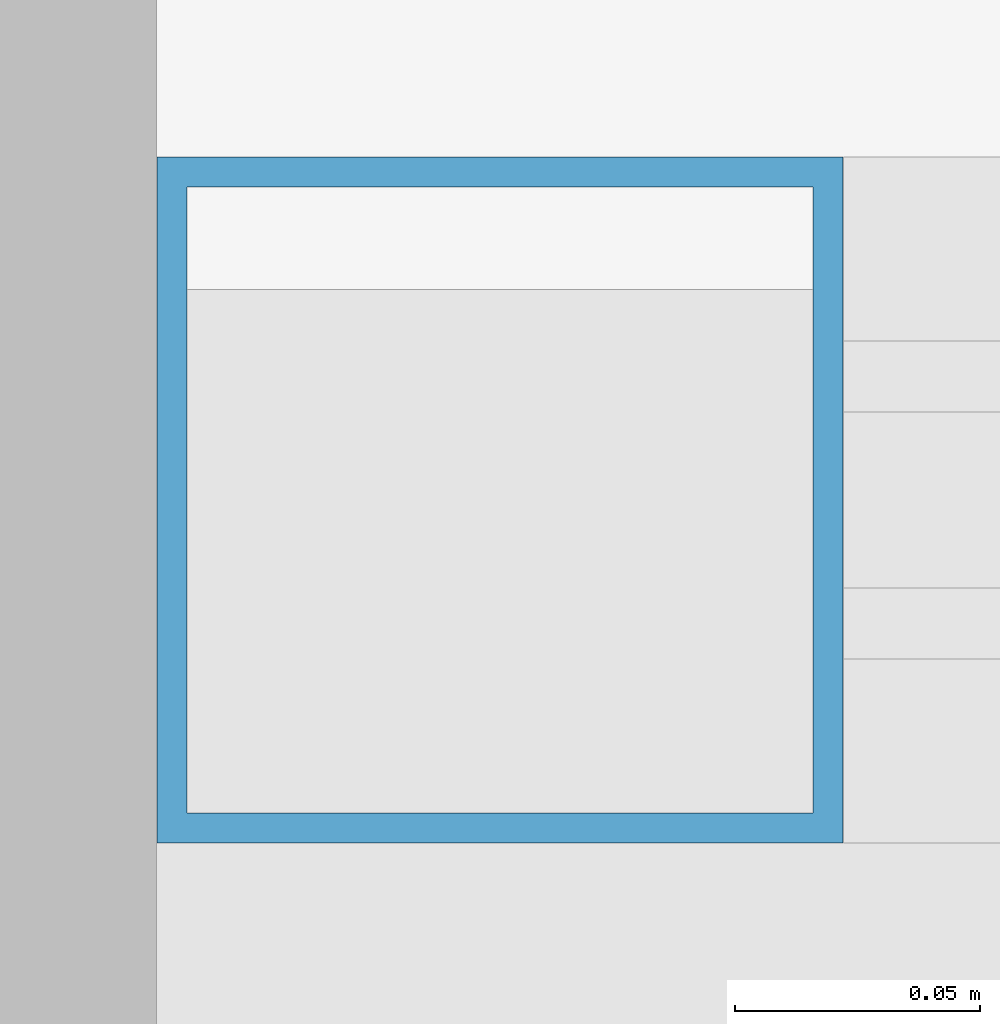
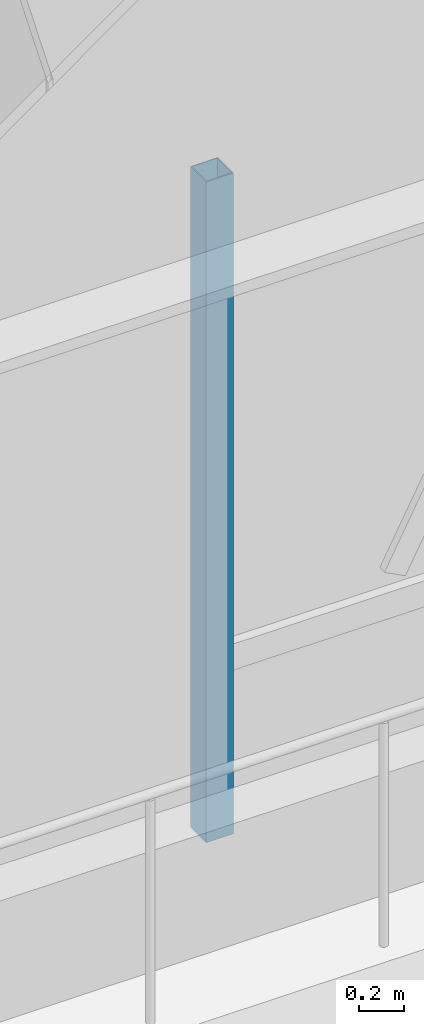
# One storey, part 4 of 28: 1 member, 1 element without a shape of its own.
"""IFC4 building model written with IfcOpenShell, lengths in metres."""

from ifc_helpers import new_model, si_unit, direction, frame, origin, origin_2d, place, context, subcontext, project, spatial, hollow_rectangle, extrude, source, transform, mapped, material, material_profile, profile_set, type_object, element, aggregate, save


model = new_model("IFC4")

# Units and contexts
model_context = context("Model", 3, precision=1e-05, world=origin(), true_north=direction((0.0, 1.0)))
body_context = subcontext(model_context, "Body", "Model", "MODEL_VIEW")
ifc_project = project(units=[si_unit("LENGTHUNIT", "METRE"), si_unit("AREAUNIT", "SQUARE_METRE"), si_unit("VOLUMEUNIT", "CUBIC_METRE"), si_unit("PLANEANGLEUNIT", "RADIAN"), si_unit("MASSUNIT", "GRAM", prefix="KILO")], contexts=[model_context])

# Site, building, storey
site_placement = place(None, origin())
site = spatial("IfcSite", under=ifc_project, at=site_placement, CompositionType="ELEMENT")
building_placement = place(site_placement, origin())
building = spatial("IfcBuilding", under=site, at=building_placement, Name="Khorayat Bourse Tower", CompositionType="ELEMENT")
storey_placement = place(building_placement, frame((0.0, 0.0, 12.0)))
storey = spatial("IfcBuildingStorey", under=building, at=storey_placement, Name="L02", CompositionType="ELEMENT", Elevation=12.0)

# Curtain wall, member
ifc_material = material(Name="Aluminium EN AW-6063 T6", Category="aluminium")
curtain_wall_type = type_object("IfcCurtainWallType", Name="CW-SYS-01", PredefinedType="NOTDEFINED", material=ifc_material)
curtain_wall_placement = place(storey_placement, origin())
curtain_wall = element("IfcCurtainWall", 1, at=curtain_wall_placement, inside=storey, type_object=curtain_wall_type, Name="L02 Curtain Wall CW-L02-SE", PredefinedType="NOTDEFINED")
ifc_material_profile = material_profile(ifc_material, hollow_rectangle(XDim=0.139892578125, YDim=0.139892578125, WallThickness=0.006103515625, at=origin_2d()), Name="ALU 140x140x6")
ifc_profile_set = profile_set([ifc_material_profile], Name="Aluminium EN AW-6063 T6")
member_type = type_object("IfcMemberType", Name="CWM-VERT-140", PredefinedType="MULLION", material=ifc_profile_set)
shared_shape = source(origin(), body_context, "Body", "SweptSolid", [
    extrude(hollow_rectangle(XDim=0.139892578125, YDim=0.139892578125, WallThickness=0.006103515625, at=origin_2d()), origin(), (0.0, 0.0, 1.0), 3.550048828125),
])
member_placement = place(storey_placement, frame((0.969970703125, -35.742919921875, 0.0), z_axis=(0.0, 0.0, 1.0), x_axis=(0.0, 1.0, 0.0)))
member = element("IfcMember", 2, at=member_placement, type_object=member_type, Name="CW-L02-SE Vertical Mullion 1", PredefinedType="MULLION", context=body_context, shape_type="MappedRepresentation", body=[
    mapped(shared_shape, transform((0.0, 0.0, 0.0), scale=1.0)),
])
aggregate(curtain_wall, [member])

save(model, "model.ifc")
